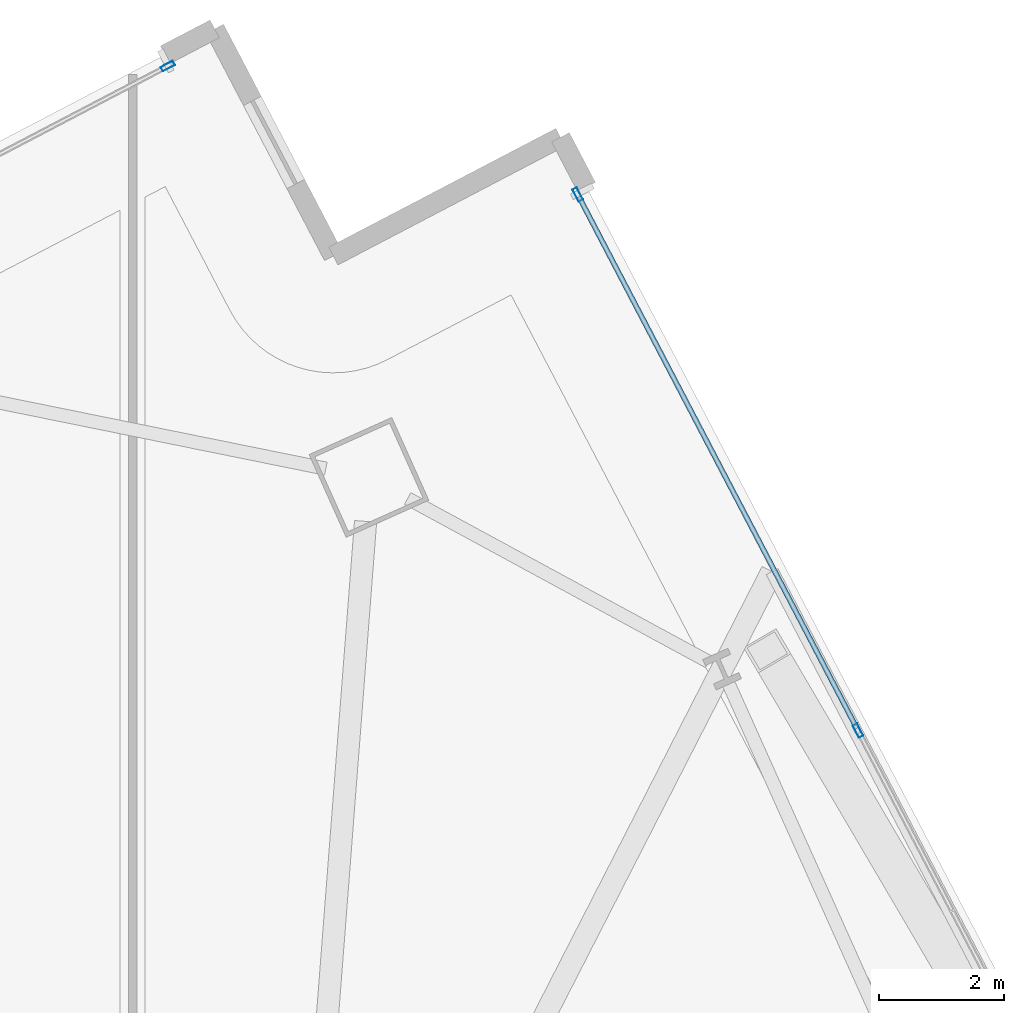
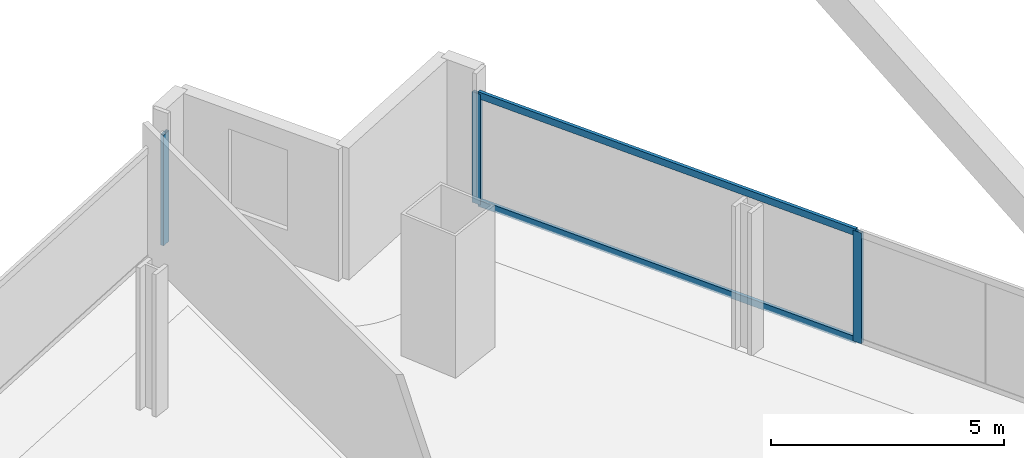
# One storey, part 23 of 33: 5 members, 2 elements without a shape of their own.
"""IFC4 building model written with IfcOpenShell, lengths in metres."""

from ifc_helpers import new_model, si_unit, direction, frame, origin, origin_2d, place, context, subcontext, project, spatial, hollow_rectangle, extrude, material, material_profile, profile_set, type_object, element, aggregate, save


model = new_model("IFC4")

# Units and contexts
model_context = context("Model", 3, precision=1e-05, world=origin(), true_north=direction((0.0, 1.0)))
body_context = subcontext(model_context, "Body", "Model", "MODEL_VIEW")
ifc_project = project(units=[si_unit("LENGTHUNIT", "METRE"), si_unit("AREAUNIT", "SQUARE_METRE"), si_unit("VOLUMEUNIT", "CUBIC_METRE"), si_unit("PLANEANGLEUNIT", "RADIAN"), si_unit("MASSUNIT", "GRAM", prefix="KILO")], contexts=[model_context])

# Site, building, storey
site_placement = place(None, origin())
site = spatial("IfcSite", under=ifc_project, at=site_placement, CompositionType="ELEMENT")
building_placement = place(site_placement, origin())
building = spatial("IfcBuilding", under=site, at=building_placement, Name="Haldenkirk Collegiate Tower", CompositionType="ELEMENT")
storey_placement = place(building_placement, frame((0.0, 0.0, 120.449951171875)))
storey = spatial("IfcBuildingStorey", under=building, at=storey_placement, Name="L29", CompositionType="ELEMENT", Elevation=120.449951171875)

# Curtain wall, members
ifc_material = material(Name="Anodised architectural bronze aluminium", Category="aluminium")
curtain_wall_type = type_object("IfcCurtainWallType", Name="CW-SYS1-CONVEX-LOW", PredefinedType="USERDEFINED", material=ifc_material)
curtain_wall_1_placement = place(storey_placement, origin())
curtain_wall_1 = element("IfcCurtainWall", 1, at=curtain_wall_1_placement, inside=storey, type_object=curtain_wall_type, Name="L29 Lower tower convex bronze-framed unitised curtain wall", ObjectType="UNITISED CURTAIN WALL", PredefinedType="USERDEFINED")
ifc_material_profile_1 = material_profile(ifc_material, hollow_rectangle(XDim=0.080078125, YDim=0.219970703125, WallThickness=0.0048828125, at=origin_2d()), Name="CW-MUL-1A")
ifc_profile_set_1 = profile_set([ifc_material_profile_1], Name="Anodised architectural bronze aluminium")
member_type_1 = type_object("IfcMemberType", Name="CW-MUL-1A", PredefinedType="MULLION", material=ifc_profile_set_1)
member_1_placement = place(storey_placement, frame((49.621337890625, 55.13623046875, 0.0), z_axis=(0.0, 0.0, 1.0), x_axis=(0.88620357746, 0.463296038507, 0.0)))
member_1 = element("IfcMember", 2, at=member_1_placement, type_object=member_type_1, Name="CW-1A mullion 1", PredefinedType="MULLION", context=body_context, shape_type="SweptSolid", body=[
    extrude(hollow_rectangle(XDim=0.080078125, YDim=0.219970703125, WallThickness=0.0048828125, at=origin_2d()), origin(), (0.0, 0.0, 1.0), 2.901123046875),
])
member_2_placement = place(storey_placement, frame((54.10546875, 46.558837890625, 0.0), z_axis=(0.0, 0.0, 1.0), x_axis=(0.88620357746, 0.463296038507, 0.0)))
member_2 = element("IfcMember", 3, at=member_2_placement, type_object=member_type_1, Name="CW-1A mullion 2", PredefinedType="MULLION", context=body_context, shape_type="SweptSolid", body=[
    extrude(hollow_rectangle(XDim=0.080078125, YDim=0.219970703125, WallThickness=0.0048828125, at=origin_2d()), origin(), (0.0, 0.0, 1.0), 2.901123046875),
])

# Curtain wall, member
curtain_wall_2_placement = place(storey_placement, origin())
curtain_wall_2 = element("IfcCurtainWall", 4, at=curtain_wall_2_placement, inside=storey, type_object=curtain_wall_type, Name="L29 Lower tower convex bronze-framed unitised curtain wall", ObjectType="UNITISED CURTAIN WALL", PredefinedType="USERDEFINED")
member_3_placement = place(storey_placement, frame((43.062744140625, 57.191650390625, 0.0), z_axis=(0.0, 0.0, 1.0), x_axis=(-0.463296790536, 0.886203184309, 0.0)))
member_3 = element("IfcMember", 5, at=member_3_placement, type_object=member_type_1, Name="CW-1A mullion 5", PredefinedType="MULLION", context=body_context, shape_type="SweptSolid", body=[
    extrude(hollow_rectangle(XDim=0.080078125, YDim=0.219970703125, WallThickness=0.0048828125, at=origin_2d()), origin(), (0.0, 0.0, 1.0), 2.901123046875),
])
aggregate(curtain_wall_2, [member_3])

# Member
ifc_material_profile_2 = material_profile(ifc_material, hollow_rectangle(XDim=0.080078125, YDim=0.179931640625, WallThickness=0.0048828125, at=origin_2d()), Name="CW-TRN-1A")
ifc_profile_set_2 = profile_set([ifc_material_profile_2], Name="Anodised architectural bronze aluminium")
member_type_2 = type_object("IfcMemberType", Name="CW-TRN-1A", PredefinedType="USERDEFINED", material=ifc_profile_set_2)
member_4_placement = place(storey_placement, frame((49.639892578125, 55.100830078125, 0.0400390625), z_axis=(0.4632968858, -0.886203134506, 0.0), x_axis=(0.886203134506, 0.4632968858, 0.0)))
member_4 = element("IfcMember", 6, at=member_4_placement, type_object=member_type_2, Name="CW-1A transom 1.1", ObjectType="TRANSOM", PredefinedType="USERDEFINED", context=body_context, shape_type="SweptSolid", body=[
    extrude(hollow_rectangle(XDim=0.080078125, YDim=0.179931640625, WallThickness=0.0048828125, at=origin_2d()), origin(), (0.0, 0.0, 1.0), 9.5986328125),
])

member_5_placement = place(storey_placement, frame((49.639892578125, 55.100830078125, 2.861083984375), z_axis=(0.4632968858, -0.886203134506, 0.0), x_axis=(0.886203134506, 0.4632968858, 0.0)))
member_5 = element("IfcMember", 7, at=member_5_placement, type_object=member_type_2, Name="CW-1A transom 1.2", ObjectType="TRANSOM", PredefinedType="USERDEFINED", context=body_context, shape_type="SweptSolid", body=[
    extrude(hollow_rectangle(XDim=0.080078125, YDim=0.179931640625, WallThickness=0.0048828125, at=origin_2d()), origin(), (0.0, 0.0, 1.0), 9.5986328125),
])

aggregate(curtain_wall_1, [member_1, member_2, member_4, member_5])

save(model, "model.ifc")
